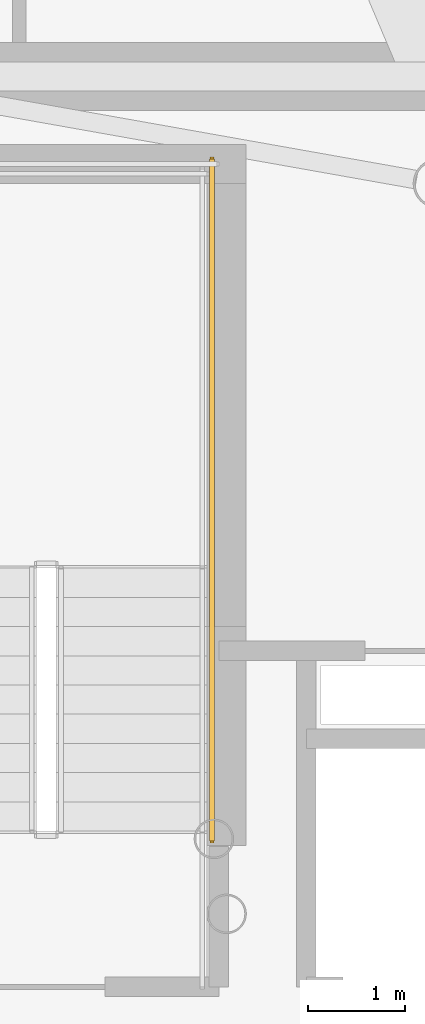
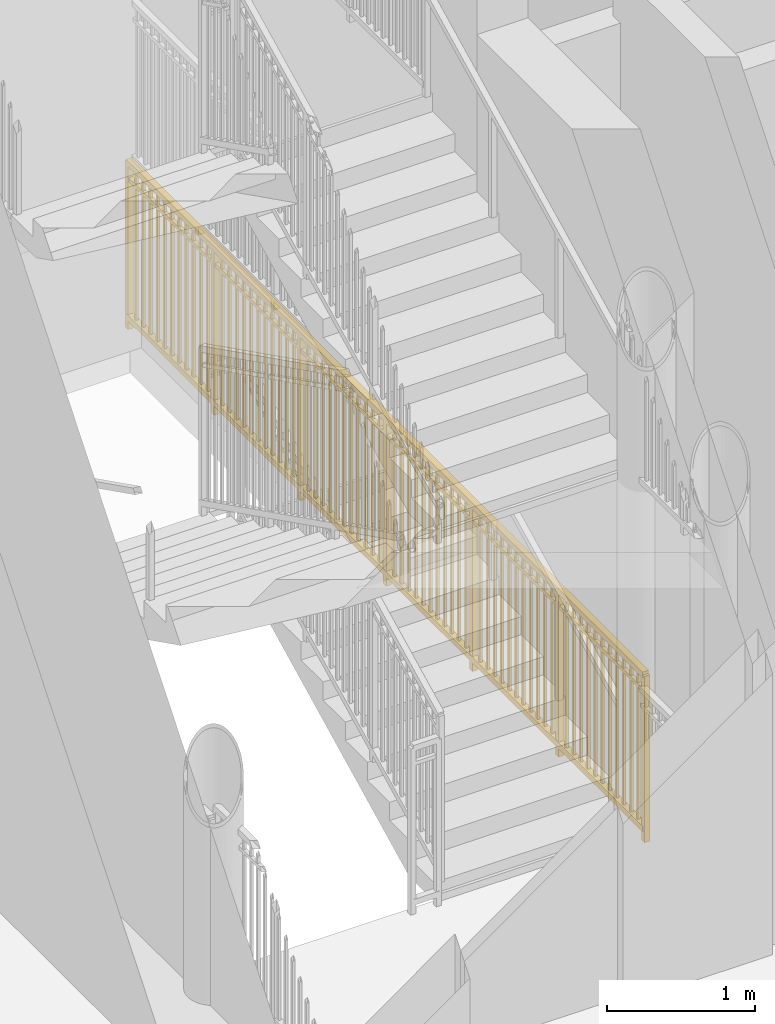
# One storey, part 15 of 17: 1 railing.
"""IFC4 building model written with IfcOpenShell, lengths in metres."""

import ifcopenshell
import ifcopenshell.guid

model = None  # the IFC model being written
_history = None  # IfcOwnerHistory: only IFC2X3 demands one
_inside = {}  # id of a spatial element -> (the spatial element, [elements in it])
_under = {}  # id of a project, library or spatial element -> (it, [spatial elements below it])
_declared = {}  # id of a project -> (the project, [libraries it declares])
_typed = {}  # id of a type object -> (the type object, [elements of that type])
_made_of = {}  # id of a material, layer set ... -> (it, [elements and type objects made of it])


def new_model(schema):
    """Start an empty IFC model of exactly this schema.

    Asked for "IFC4X3", IfcOpenShell would pick the latest addendum, in which some entities
    have other attributes; the version numbers below select the first issue.
    IFC2X3 requires an IfcOwnerHistory on every rooted entity: one is made here for all.
    """
    global model, _history
    if schema == "IFC4X3":
        model = ifcopenshell.file(schema_version=(4, 3, 0, 0))
    else:
        model = ifcopenshell.file(schema=schema)
    _inside.clear()
    _under.clear()
    _declared.clear()
    _typed.clear()
    _made_of.clear()
    _history = None
    if model.schema == "IFC2X3":
        org = make("IfcOrganization", Name="unknown")
        user = make(
            "IfcPersonAndOrganization",
            ThePerson=make("IfcPerson", FamilyName="unknown"),
            TheOrganization=org,
        )
        app = make(
            "IfcApplication",
            ApplicationDeveloper=org,
            Version="unknown",
            ApplicationFullName="unknown",
            ApplicationIdentifier="unknown",
        )
        _history = make(
            "IfcOwnerHistory",
            OwningUser=user,
            OwningApplication=app,
            ChangeAction="ADDED",
            CreationDate=0,
        )
    return model


def make(cls, **values):
    """One entity of the class cls with the attributes given. An attribute that is None is left unset."""
    return model.create_entity(
        cls, **{name: value for name, value in values.items() if value is not None}
    )


def rooted(cls, **values):
    """An entity with a GlobalId (a new one), such as an element, a storey or a relation."""
    return make(cls, GlobalId=ifcopenshell.guid.new(), OwnerHistory=_history, **values)


def si_unit(unit_type, name, prefix=None):
    """IfcSIUnit, for example si_unit("LENGTHUNIT", "METRE", prefix="MILLI")."""
    return make("IfcSIUnit", UnitType=unit_type, Prefix=prefix, Name=name)


def assignment(units):
    """IfcUnitAssignment: the units of a project."""
    return None if units is None else make("IfcUnitAssignment", Units=units)


def point(xyz):
    """IfcCartesianPoint."""
    return None if xyz is None else make("IfcCartesianPoint", Coordinates=xyz)


def direction(xyz):
    """IfcDirection."""
    return None if xyz is None else make("IfcDirection", DirectionRatios=xyz)


def frame(location, z_axis=None, x_axis=None):
    """IfcAxis2Placement3D, a coordinate frame: its origin and axes. An axis left out is left unset."""
    return make(
        "IfcAxis2Placement3D",
        Location=point(location),
        Axis=direction(z_axis),
        RefDirection=direction(x_axis),
    )


def frame_2d(location, x_axis=None):
    """IfcAxis2Placement2D, a coordinate frame in the plane: its origin and x axis."""
    return make(
        "IfcAxis2Placement2D", Location=point(location), RefDirection=direction(x_axis)
    )


def origin():
    """The frame at (0, 0, 0) with its axes left unset."""
    return frame((0.0, 0.0, 0.0))


def origin_2d():
    """The frame at (0, 0) in the plane with its x axis left unset."""
    return frame_2d((0.0, 0.0))


def place(relative_to, where):
    """IfcLocalPlacement: puts the frame where relative to a parent placement (None: the world)."""
    return make(
        "IfcLocalPlacement", PlacementRelTo=relative_to, RelativePlacement=where
    )


def context(
    kind, dimensions, precision=None, world=None, true_north=None, identifier=None
):
    """IfcGeometricRepresentationContext, for example the 3D "Model" context."""
    return make(
        "IfcGeometricRepresentationContext",
        ContextIdentifier=identifier,
        ContextType=kind,
        CoordinateSpaceDimension=dimensions,
        Precision=precision,
        WorldCoordinateSystem=world,
        TrueNorth=true_north,
    )


def subcontext(parent, identifier, kind, view, scale=None):
    """IfcGeometricRepresentationSubContext, for example "Body" below "Model"."""
    return make(
        "IfcGeometricRepresentationSubContext",
        ContextIdentifier=identifier,
        ContextType=kind,
        ParentContext=parent,
        TargetScale=scale,
        TargetView=view,
    )


def project(units=None, contexts=None):
    """IfcProject with its units and contexts."""
    return rooted(
        "IfcProject",
        Name="project",
        RepresentationContexts=contexts,
        UnitsInContext=assignment(units),
    )


def spatial(cls, under=None, at=None, **own):
    """A site, building, storey or space (cls), placed at a placement, below another one or the project."""
    s = rooted(cls, ObjectPlacement=at, **own)
    if under is not None:
        _under.setdefault(under.id(), (under, []))[1].append(s)
    return s


def profile(cls, at=None, kind="AREA", **sizes):
    """A parametric profile (cls). Its sizes go by their IFC names, for example OverallWidth=200.0."""
    return make(cls, ProfileType=kind, Position=at, **sizes)


def rectangle(**sizes):
    """IfcRectangleProfileDef."""
    return profile("IfcRectangleProfileDef", **sizes)


def extrude(swept, where, along, depth):
    """IfcExtrudedAreaSolid: the profile swept, set in the frame where, extruded along a direction by depth."""
    return make(
        "IfcExtrudedAreaSolid",
        SweptArea=swept,
        Position=where,
        ExtrudedDirection=direction(along),
        Depth=depth,
    )


def shape(context_of_items, identifier, shape_type, items):
    """IfcShapeRepresentation: the items that make up one representation, for example the "Body"."""
    return make(
        "IfcShapeRepresentation",
        ContextOfItems=context_of_items,
        RepresentationIdentifier=identifier,
        RepresentationType=shape_type,
        Items=items,
    )


def source(mapping_origin, context_of_items, identifier, shape_type, items):
    """IfcRepresentationMap: a shape defined once, which mapped items show again and again."""
    return make(
        "IfcRepresentationMap",
        MappingOrigin=mapping_origin,
        MappedRepresentation=shape(context_of_items, identifier, shape_type, items),
    )


def transform(
    local_origin,
    x_axis=None,
    y_axis=None,
    z_axis=None,
    scale=None,
    scale2=None,
    scale3=None,
    uniform=True,
):
    """IfcCartesianTransformationOperator3D, or its non-uniform kind. x_axis, y_axis, z_axis: its Axis1, 2, 3."""
    if uniform:
        return make(
            "IfcCartesianTransformationOperator3D",
            Axis1=direction(x_axis),
            Axis2=direction(y_axis),
            LocalOrigin=point(local_origin),
            Scale=scale,
            Axis3=direction(z_axis),
        )
    return make(
        "IfcCartesianTransformationOperator3DnonUniform",
        Axis1=direction(x_axis),
        Axis2=direction(y_axis),
        LocalOrigin=point(local_origin),
        Scale=scale,
        Axis3=direction(z_axis),
        Scale2=scale2,
        Scale3=scale3,
    )


def mapped(mapping_source, mapping_target):
    """IfcMappedItem: shows the shape of a source again, moved by a transform."""
    return make(
        "IfcMappedItem", MappingSource=mapping_source, MappingTarget=mapping_target
    )


def material(Name=None, Category=None):
    """IfcMaterial."""
    return make("IfcMaterial", Name=Name, Category=Category)


def made_of(thing, what):
    """Note that an element or type object is made of a material, layer set ...; save() writes the relation."""
    if what is not None:
        _made_of.setdefault(what.id(), (what, []))[1].append(thing)
    return thing


def type_object(cls, material=None, **own):
    """A type object (cls), such as IfcWallType, which elements share."""
    return made_of(rooted(cls, **own), material)


def element(
    cls,
    number,
    at=None,
    inside=None,
    cuts=None,
    type_object=None,
    material=None,
    context=None,
    identifier="Body",
    shape_type=None,
    held_by="IfcProductDefinitionShape",
    body=None,
    shapes=None,
    **own,
):
    """One element of the class cls, such as IfcWall. Its Tag is "e" and its number.

    at: its placement. inside: the storey or other place that contains it. cuts: it is an
    opening in that element (IfcRelVoidsElement). A single representation is given by context,
    identifier, shape_type and body (its items); several are given by shapes. held_by: the class
    of the entity that holds the representations. save() writes the other relations.
    """
    e = rooted(cls, Tag="e%d" % number, ObjectPlacement=at, **own)
    if body is not None:
        shapes = [shape(context, identifier, shape_type, body)]
    if shapes is not None:
        e.Representation = make(held_by, Representations=shapes)
    if inside is not None:
        _inside.setdefault(inside.id(), (inside, []))[1].append(e)
    if cuts is not None:
        rooted(
            "IfcRelVoidsElement", RelatingBuildingElement=cuts, RelatedOpeningElement=e
        )
    if type_object is not None:
        _typed.setdefault(type_object.id(), (type_object, []))[1].append(e)
    return made_of(e, material)


def aggregate(whole, parts):
    """IfcRelAggregates: a whole, such as a stair, and the parts it consists of."""
    return rooted("IfcRelAggregates", RelatingObject=whole, RelatedObjects=parts)


def save(model, path):
    """Write the relations noted so far, then the file.

    IfcRelAggregates (storeys below a building ...), IfcRelContainedInSpatialStructure (elements
    in a storey), IfcRelDefinesByType, IfcRelAssociatesMaterial and IfcRelDeclares: one each for
    every whole, place, type object, material and project.
    """
    for whole, parts in _under.values():
        aggregate(whole, parts)
    for where, things in _inside.values():
        rooted(
            "IfcRelContainedInSpatialStructure",
            RelatedElements=things,
            RelatingStructure=where,
        )
    for kind, things in _typed.values():
        rooted("IfcRelDefinesByType", RelatedObjects=things, RelatingType=kind)
    for what, things in _made_of.values():
        rooted("IfcRelAssociatesMaterial", RelatedObjects=things, RelatingMaterial=what)
    for by, libraries in _declared.values():
        rooted("IfcRelDeclares", RelatingContext=by, RelatedDefinitions=libraries)
    model.write(path)


model = new_model("IFC4")

# Units and contexts
model_context = context("Model", 3, precision=1e-05, world=origin(), true_north=direction((0.0, 1.0)))
body_context = subcontext(model_context, "Body", "Model", "MODEL_VIEW")
ifc_project = project(units=[si_unit("LENGTHUNIT", "METRE"), si_unit("AREAUNIT", "SQUARE_METRE"), si_unit("VOLUMEUNIT", "CUBIC_METRE"), si_unit("PLANEANGLEUNIT", "RADIAN"), si_unit("MASSUNIT", "GRAM", prefix="KILO")], contexts=[model_context])

# Site, building, storey
site_placement = place(None, origin())
site = spatial("IfcSite", under=ifc_project, at=site_placement, CompositionType="ELEMENT")
building_placement = place(site_placement, origin())
building = spatial("IfcBuilding", under=site, at=building_placement, Name="Linh Dai School and Residence Tower", CompositionType="ELEMENT")
storey_placement = place(building_placement, frame((0.0, 0.0, 318.0)))
storey = spatial("IfcBuildingStorey", under=building, at=storey_placement, Name="L79", CompositionType="ELEMENT", Elevation=318.0)

# Railing
ifc_material = material(Name="Structural Steel S355JR", Category="steel")
railing_type = type_object("IfcRailingType", Name="RL-ST-GUARD-1400", PredefinedType="GUARDRAIL", material=ifc_material)
shared_shape = source(origin(), body_context, "Body", "SweptSolid", [
    extrude(rectangle(XDim=0.048095703125, YDim=0.048095703125, at=origin_2d()), frame((0.0, 0.0, 1.3759765625), z_axis=(0.0, 1.0, 0.0), x_axis=(-1.0, 0.0, 0.0)), (0.0, 0.0, 1.0), 7.0),
    extrude(rectangle(XDim=0.048095703125, YDim=0.048095703125, at=origin_2d()), frame((0.0, 0.0, 0.10009765625), z_axis=(0.0, 1.0, 0.0), x_axis=(-1.0, 0.0, 0.0)), (0.0, 0.0, 1.0), 7.0),
    extrude(rectangle(XDim=0.030029296875, YDim=0.030029296875, at=origin_2d()), frame((0.0, 0.0, 1.239990234375), z_axis=(0.0, 1.0, 0.0), x_axis=(-1.0, 0.0, 0.0)), (0.0, 0.0, 1.0), 7.0),
    extrude(rectangle(XDim=0.02001953125, YDim=0.02001953125, at=origin_2d()), frame((0.0, 0.09716796875, 0.10009765625)), (0.0, 0.0, 1.0), 1.251708984375),
    extrude(rectangle(XDim=0.02001953125, YDim=0.02001953125, at=origin_2d()), frame((0.0, 0.1943359375, 0.10009765625)), (0.0, 0.0, 1.0), 1.251708984375),
    extrude(rectangle(XDim=0.02001953125, YDim=0.02001953125, at=origin_2d()), frame((0.0, 0.291748046875, 0.10009765625)), (0.0, 0.0, 1.0), 1.251708984375),
    extrude(rectangle(XDim=0.02001953125, YDim=0.02001953125, at=origin_2d()), frame((0.0, 0.388916015625, 0.10009765625)), (0.0, 0.0, 1.0), 1.251708984375),
    extrude(rectangle(XDim=0.02001953125, YDim=0.02001953125, at=origin_2d()), frame((0.0, 0.486083984375, 0.10009765625)), (0.0, 0.0, 1.0), 1.251708984375),
    extrude(rectangle(XDim=0.02001953125, YDim=0.02001953125, at=origin_2d()), frame((0.0, 0.583251953125, 0.10009765625)), (0.0, 0.0, 1.0), 1.251708984375),
    extrude(rectangle(XDim=0.02001953125, YDim=0.02001953125, at=origin_2d()), frame((0.0, 0.6806640625, 0.10009765625)), (0.0, 0.0, 1.0), 1.251708984375),
    extrude(rectangle(XDim=0.02001953125, YDim=0.02001953125, at=origin_2d()), frame((0.0, 0.77783203125, 0.10009765625)), (0.0, 0.0, 1.0), 1.251708984375),
    extrude(rectangle(XDim=0.02001953125, YDim=0.02001953125, at=origin_2d()), frame((0.0, 0.875, 0.10009765625)), (0.0, 0.0, 1.0), 1.251708984375),
    extrude(rectangle(XDim=0.02001953125, YDim=0.02001953125, at=origin_2d()), frame((0.0, 0.97216796875, 0.10009765625)), (0.0, 0.0, 1.0), 1.251708984375),
    extrude(rectangle(XDim=0.02001953125, YDim=0.02001953125, at=origin_2d()), frame((0.0, 1.0693359375, 0.10009765625)), (0.0, 0.0, 1.0), 1.251708984375),
    extrude(rectangle(XDim=0.02001953125, YDim=0.02001953125, at=origin_2d()), frame((0.0, 1.263916015625, 0.10009765625)), (0.0, 0.0, 1.0), 1.251708984375),
    extrude(rectangle(XDim=0.02001953125, YDim=0.02001953125, at=origin_2d()), frame((0.0, 1.361083984375, 0.10009765625)), (0.0, 0.0, 1.0), 1.251708984375),
    extrude(rectangle(XDim=0.02001953125, YDim=0.02001953125, at=origin_2d()), frame((0.0, 1.458251953125, 0.10009765625)), (0.0, 0.0, 1.0), 1.251708984375),
    extrude(rectangle(XDim=0.02001953125, YDim=0.02001953125, at=origin_2d()), frame((0.0, 1.5556640625, 0.10009765625)), (0.0, 0.0, 1.0), 1.251708984375),
    extrude(rectangle(XDim=0.02001953125, YDim=0.02001953125, at=origin_2d()), frame((0.0, 1.65283203125, 0.10009765625)), (0.0, 0.0, 1.0), 1.251708984375),
    extrude(rectangle(XDim=0.02001953125, YDim=0.02001953125, at=origin_2d()), frame((0.0, 1.75, 0.10009765625)), (0.0, 0.0, 1.0), 1.251708984375),
    extrude(rectangle(XDim=0.02001953125, YDim=0.02001953125, at=origin_2d()), frame((0.0, 1.84716796875, 0.10009765625)), (0.0, 0.0, 1.0), 1.251708984375),
    extrude(rectangle(XDim=0.02001953125, YDim=0.02001953125, at=origin_2d()), frame((0.0, 1.9443359375, 0.10009765625)), (0.0, 0.0, 1.0), 1.251708984375),
    extrude(rectangle(XDim=0.02001953125, YDim=0.02001953125, at=origin_2d()), frame((0.0, 2.041748046875, 0.10009765625)), (0.0, 0.0, 1.0), 1.251708984375),
    extrude(rectangle(XDim=0.02001953125, YDim=0.02001953125, at=origin_2d()), frame((0.0, 2.138916015625, 0.10009765625)), (0.0, 0.0, 1.0), 1.251708984375),
    extrude(rectangle(XDim=0.02001953125, YDim=0.02001953125, at=origin_2d()), frame((0.0, 2.236083984375, 0.10009765625)), (0.0, 0.0, 1.0), 1.251708984375),
    extrude(rectangle(XDim=0.02001953125, YDim=0.02001953125, at=origin_2d()), frame((0.0, 2.4306640625, 0.10009765625)), (0.0, 0.0, 1.0), 1.251708984375),
    extrude(rectangle(XDim=0.02001953125, YDim=0.02001953125, at=origin_2d()), frame((0.0, 2.52783203125, 0.10009765625)), (0.0, 0.0, 1.0), 1.251708984375),
    extrude(rectangle(XDim=0.02001953125, YDim=0.02001953125, at=origin_2d()), frame((0.0, 2.625, 0.10009765625)), (0.0, 0.0, 1.0), 1.251708984375),
    extrude(rectangle(XDim=0.02001953125, YDim=0.02001953125, at=origin_2d()), frame((0.0, 2.72216796875, 0.10009765625)), (0.0, 0.0, 1.0), 1.251708984375),
    extrude(rectangle(XDim=0.02001953125, YDim=0.02001953125, at=origin_2d()), frame((0.0, 2.8193359375, 0.10009765625)), (0.0, 0.0, 1.0), 1.251708984375),
    extrude(rectangle(XDim=0.02001953125, YDim=0.02001953125, at=origin_2d()), frame((0.0, 2.916748046875, 0.10009765625)), (0.0, 0.0, 1.0), 1.251708984375),
    extrude(rectangle(XDim=0.02001953125, YDim=0.02001953125, at=origin_2d()), frame((0.0, 3.013916015625, 0.10009765625)), (0.0, 0.0, 1.0), 1.251708984375),
    extrude(rectangle(XDim=0.02001953125, YDim=0.02001953125, at=origin_2d()), frame((0.0, 3.111083984375, 0.10009765625)), (0.0, 0.0, 1.0), 1.251708984375),
    extrude(rectangle(XDim=0.02001953125, YDim=0.02001953125, at=origin_2d()), frame((0.0, 3.208251953125, 0.10009765625)), (0.0, 0.0, 1.0), 1.251708984375),
    extrude(rectangle(XDim=0.02001953125, YDim=0.02001953125, at=origin_2d()), frame((0.0, 3.3056640625, 0.10009765625)), (0.0, 0.0, 1.0), 1.251708984375),
    extrude(rectangle(XDim=0.02001953125, YDim=0.02001953125, at=origin_2d()), frame((0.0, 3.40283203125, 0.10009765625)), (0.0, 0.0, 1.0), 1.251708984375),
    extrude(rectangle(XDim=0.02001953125, YDim=0.02001953125, at=origin_2d()), frame((0.0, 3.59716796875, 0.10009765625)), (0.0, 0.0, 1.0), 1.251708984375),
    extrude(rectangle(XDim=0.02001953125, YDim=0.02001953125, at=origin_2d()), frame((0.0, 3.6943359375, 0.10009765625)), (0.0, 0.0, 1.0), 1.251708984375),
    extrude(rectangle(XDim=0.02001953125, YDim=0.02001953125, at=origin_2d()), frame((0.0, 3.791748046875, 0.10009765625)), (0.0, 0.0, 1.0), 1.251708984375),
    extrude(rectangle(XDim=0.02001953125, YDim=0.02001953125, at=origin_2d()), frame((0.0, 3.888916015625, 0.10009765625)), (0.0, 0.0, 1.0), 1.251708984375),
    extrude(rectangle(XDim=0.02001953125, YDim=0.02001953125, at=origin_2d()), frame((0.0, 3.986083984375, 0.10009765625)), (0.0, 0.0, 1.0), 1.251708984375),
    extrude(rectangle(XDim=0.02001953125, YDim=0.02001953125, at=origin_2d()), frame((0.0, 4.083251953125, 0.10009765625)), (0.0, 0.0, 1.0), 1.251708984375),
    extrude(rectangle(XDim=0.02001953125, YDim=0.02001953125, at=origin_2d()), frame((0.0, 4.1806640625, 0.10009765625)), (0.0, 0.0, 1.0), 1.251708984375),
    extrude(rectangle(XDim=0.02001953125, YDim=0.02001953125, at=origin_2d()), frame((0.0, 4.27783203125, 0.10009765625)), (0.0, 0.0, 1.0), 1.251708984375),
    extrude(rectangle(XDim=0.02001953125, YDim=0.02001953125, at=origin_2d()), frame((0.0, 4.375, 0.10009765625)), (0.0, 0.0, 1.0), 1.251708984375),
    extrude(rectangle(XDim=0.02001953125, YDim=0.02001953125, at=origin_2d()), frame((0.0, 4.47216796875, 0.10009765625)), (0.0, 0.0, 1.0), 1.251708984375),
    extrude(rectangle(XDim=0.02001953125, YDim=0.02001953125, at=origin_2d()), frame((0.0, 4.5693359375, 0.10009765625)), (0.0, 0.0, 1.0), 1.251708984375),
    extrude(rectangle(XDim=0.02001953125, YDim=0.02001953125, at=origin_2d()), frame((0.0, 4.763916015625, 0.10009765625)), (0.0, 0.0, 1.0), 1.251708984375),
    extrude(rectangle(XDim=0.02001953125, YDim=0.02001953125, at=origin_2d()), frame((0.0, 4.861083984375, 0.10009765625)), (0.0, 0.0, 1.0), 1.251708984375),
    extrude(rectangle(XDim=0.02001953125, YDim=0.02001953125, at=origin_2d()), frame((0.0, 4.958251953125, 0.10009765625)), (0.0, 0.0, 1.0), 1.251708984375),
    extrude(rectangle(XDim=0.02001953125, YDim=0.02001953125, at=origin_2d()), frame((0.0, 5.0556640625, 0.10009765625)), (0.0, 0.0, 1.0), 1.251708984375),
    extrude(rectangle(XDim=0.02001953125, YDim=0.02001953125, at=origin_2d()), frame((0.0, 5.15283203125, 0.10009765625)), (0.0, 0.0, 1.0), 1.251708984375),
    extrude(rectangle(XDim=0.02001953125, YDim=0.02001953125, at=origin_2d()), frame((0.0, 5.25, 0.10009765625)), (0.0, 0.0, 1.0), 1.251708984375),
    extrude(rectangle(XDim=0.02001953125, YDim=0.02001953125, at=origin_2d()), frame((0.0, 5.34716796875, 0.10009765625)), (0.0, 0.0, 1.0), 1.251708984375),
    extrude(rectangle(XDim=0.02001953125, YDim=0.02001953125, at=origin_2d()), frame((0.0, 5.4443359375, 0.10009765625)), (0.0, 0.0, 1.0), 1.251708984375),
    extrude(rectangle(XDim=0.02001953125, YDim=0.02001953125, at=origin_2d()), frame((0.0, 5.541748046875, 0.10009765625)), (0.0, 0.0, 1.0), 1.251708984375),
    extrude(rectangle(XDim=0.02001953125, YDim=0.02001953125, at=origin_2d()), frame((0.0, 5.638916015625, 0.10009765625)), (0.0, 0.0, 1.0), 1.251708984375),
    extrude(rectangle(XDim=0.02001953125, YDim=0.02001953125, at=origin_2d()), frame((0.0, 5.736083984375, 0.10009765625)), (0.0, 0.0, 1.0), 1.251708984375),
    extrude(rectangle(XDim=0.02001953125, YDim=0.02001953125, at=origin_2d()), frame((0.0, 5.9306640625, 0.10009765625)), (0.0, 0.0, 1.0), 1.251708984375),
    extrude(rectangle(XDim=0.02001953125, YDim=0.02001953125, at=origin_2d()), frame((0.0, 6.02783203125, 0.10009765625)), (0.0, 0.0, 1.0), 1.251708984375),
    extrude(rectangle(XDim=0.02001953125, YDim=0.02001953125, at=origin_2d()), frame((0.0, 6.125, 0.10009765625)), (0.0, 0.0, 1.0), 1.251708984375),
    extrude(rectangle(XDim=0.02001953125, YDim=0.02001953125, at=origin_2d()), frame((0.0, 6.22216796875, 0.10009765625)), (0.0, 0.0, 1.0), 1.251708984375),
    extrude(rectangle(XDim=0.02001953125, YDim=0.02001953125, at=origin_2d()), frame((0.0, 6.3193359375, 0.10009765625)), (0.0, 0.0, 1.0), 1.251708984375),
    extrude(rectangle(XDim=0.02001953125, YDim=0.02001953125, at=origin_2d()), frame((0.0, 6.416748046875, 0.10009765625)), (0.0, 0.0, 1.0), 1.251708984375),
    extrude(rectangle(XDim=0.02001953125, YDim=0.02001953125, at=origin_2d()), frame((0.0, 6.513916015625, 0.10009765625)), (0.0, 0.0, 1.0), 1.251708984375),
    extrude(rectangle(XDim=0.02001953125, YDim=0.02001953125, at=origin_2d()), frame((0.0, 6.611083984375, 0.10009765625)), (0.0, 0.0, 1.0), 1.251708984375),
    extrude(rectangle(XDim=0.02001953125, YDim=0.02001953125, at=origin_2d()), frame((0.0, 6.708251953125, 0.10009765625)), (0.0, 0.0, 1.0), 1.251708984375),
    extrude(rectangle(XDim=0.02001953125, YDim=0.02001953125, at=origin_2d()), frame((0.0, 6.8056640625, 0.10009765625)), (0.0, 0.0, 1.0), 1.251708984375),
    extrude(rectangle(XDim=0.02001953125, YDim=0.02001953125, at=origin_2d()), frame((0.0, 6.90283203125, 0.10009765625)), (0.0, 0.0, 1.0), 1.251708984375),
    extrude(rectangle(XDim=0.0419921875, YDim=0.0419921875, at=origin_2d()), origin(), (0.0, 0.0, 1.0), 1.3759765625),
    extrude(rectangle(XDim=0.0419921875, YDim=0.0419921875, at=origin_2d()), frame((0.0, 1.166748046875, 0.0)), (0.0, 0.0, 1.0), 1.3759765625),
    extrude(rectangle(XDim=0.0419921875, YDim=0.0419921875, at=origin_2d()), frame((0.0, 2.333251953125, 0.0)), (0.0, 0.0, 1.0), 1.3759765625),
    extrude(rectangle(XDim=0.0419921875, YDim=0.0419921875, at=origin_2d()), frame((0.0, 3.5, 0.0)), (0.0, 0.0, 1.0), 1.3759765625),
    extrude(rectangle(XDim=0.0419921875, YDim=0.0419921875, at=origin_2d()), frame((0.0, 4.666748046875, 0.0)), (0.0, 0.0, 1.0), 1.3759765625),
    extrude(rectangle(XDim=0.0419921875, YDim=0.0419921875, at=origin_2d()), frame((0.0, 5.833251953125, 0.0)), (0.0, 0.0, 1.0), 1.3759765625),
    extrude(rectangle(XDim=0.0419921875, YDim=0.0419921875, at=origin_2d()), frame((0.0, 7.0, 0.0)), (0.0, 0.0, 1.0), 1.3759765625),
])
railing_placement = place(storey_placement, frame((31.030029296875, 25.60009765625, 0.0)))
element("IfcRailing", 1, at=railing_placement, inside=storey, type_object=railing_type, Name="L79 ST1 stair guard 19", PredefinedType="GUARDRAIL", context=body_context, shape_type="MappedRepresentation", body=[
    mapped(shared_shape, transform((0.0, 0.0, 0.0), x_axis=(1.0, 0.0, 0.0), y_axis=(0.0, 1.0, 0.0), z_axis=(0.0, 0.0, 1.0), scale=1.0)),
])

save(model, "model.ifc")
